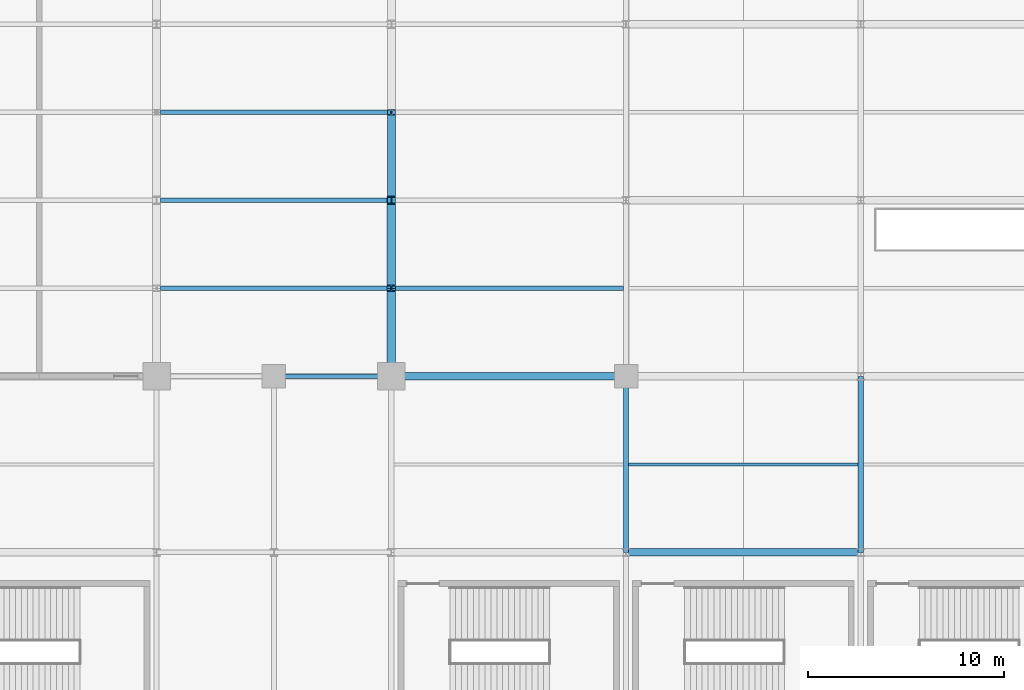
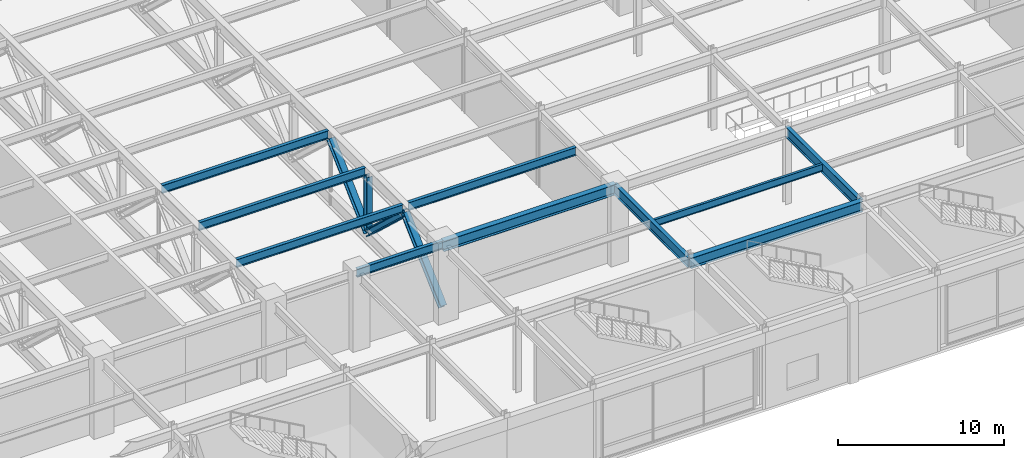
# One storey, part 37 of 108: 10 beams, 4 members.
"""IFC4 building model written with IfcOpenShell, lengths in metres."""

import ifcopenshell
import ifcopenshell.guid

model = None  # the IFC model being written
_history = None  # IfcOwnerHistory: only IFC2X3 demands one
_inside = {}  # id of a spatial element -> (the spatial element, [elements in it])
_under = {}  # id of a project, library or spatial element -> (it, [spatial elements below it])
_declared = {}  # id of a project -> (the project, [libraries it declares])
_typed = {}  # id of a type object -> (the type object, [elements of that type])
_made_of = {}  # id of a material, layer set ... -> (it, [elements and type objects made of it])


def new_model(schema):
    """Start an empty IFC model of exactly this schema.

    Asked for "IFC4X3", IfcOpenShell would pick the latest addendum, in which some entities
    have other attributes; the version numbers below select the first issue.
    IFC2X3 requires an IfcOwnerHistory on every rooted entity: one is made here for all.
    """
    global model, _history
    if schema == "IFC4X3":
        model = ifcopenshell.file(schema_version=(4, 3, 0, 0))
    else:
        model = ifcopenshell.file(schema=schema)
    _inside.clear()
    _under.clear()
    _declared.clear()
    _typed.clear()
    _made_of.clear()
    _history = None
    if model.schema == "IFC2X3":
        org = make("IfcOrganization", Name="unknown")
        user = make(
            "IfcPersonAndOrganization",
            ThePerson=make("IfcPerson", FamilyName="unknown"),
            TheOrganization=org,
        )
        app = make(
            "IfcApplication",
            ApplicationDeveloper=org,
            Version="unknown",
            ApplicationFullName="unknown",
            ApplicationIdentifier="unknown",
        )
        _history = make(
            "IfcOwnerHistory",
            OwningUser=user,
            OwningApplication=app,
            ChangeAction="ADDED",
            CreationDate=0,
        )
    return model


def make(cls, **values):
    """One entity of the class cls with the attributes given. An attribute that is None is left unset."""
    return model.create_entity(
        cls, **{name: value for name, value in values.items() if value is not None}
    )


def rooted(cls, **values):
    """An entity with a GlobalId (a new one), such as an element, a storey or a relation."""
    return make(cls, GlobalId=ifcopenshell.guid.new(), OwnerHistory=_history, **values)


def si_unit(unit_type, name, prefix=None):
    """IfcSIUnit, for example si_unit("LENGTHUNIT", "METRE", prefix="MILLI")."""
    return make("IfcSIUnit", UnitType=unit_type, Prefix=prefix, Name=name)


def assignment(units):
    """IfcUnitAssignment: the units of a project."""
    return None if units is None else make("IfcUnitAssignment", Units=units)


def point(xyz):
    """IfcCartesianPoint."""
    return None if xyz is None else make("IfcCartesianPoint", Coordinates=xyz)


def direction(xyz):
    """IfcDirection."""
    return None if xyz is None else make("IfcDirection", DirectionRatios=xyz)


def frame(location, z_axis=None, x_axis=None):
    """IfcAxis2Placement3D, a coordinate frame: its origin and axes. An axis left out is left unset."""
    return make(
        "IfcAxis2Placement3D",
        Location=point(location),
        Axis=direction(z_axis),
        RefDirection=direction(x_axis),
    )


def frame_2d(location, x_axis=None):
    """IfcAxis2Placement2D, a coordinate frame in the plane: its origin and x axis."""
    return make(
        "IfcAxis2Placement2D", Location=point(location), RefDirection=direction(x_axis)
    )


def origin():
    """The frame at (0, 0, 0) with its axes left unset."""
    return frame((0.0, 0.0, 0.0))


def origin_2d():
    """The frame at (0, 0) in the plane with its x axis left unset."""
    return frame_2d((0.0, 0.0))


def place(relative_to, where):
    """IfcLocalPlacement: puts the frame where relative to a parent placement (None: the world)."""
    return make(
        "IfcLocalPlacement", PlacementRelTo=relative_to, RelativePlacement=where
    )


def context(
    kind, dimensions, precision=None, world=None, true_north=None, identifier=None
):
    """IfcGeometricRepresentationContext, for example the 3D "Model" context."""
    return make(
        "IfcGeometricRepresentationContext",
        ContextIdentifier=identifier,
        ContextType=kind,
        CoordinateSpaceDimension=dimensions,
        Precision=precision,
        WorldCoordinateSystem=world,
        TrueNorth=true_north,
    )


def subcontext(parent, identifier, kind, view, scale=None):
    """IfcGeometricRepresentationSubContext, for example "Body" below "Model"."""
    return make(
        "IfcGeometricRepresentationSubContext",
        ContextIdentifier=identifier,
        ContextType=kind,
        ParentContext=parent,
        TargetScale=scale,
        TargetView=view,
    )


def project(units=None, contexts=None):
    """IfcProject with its units and contexts."""
    return rooted(
        "IfcProject",
        Name="project",
        RepresentationContexts=contexts,
        UnitsInContext=assignment(units),
    )


def spatial(cls, under=None, at=None, **own):
    """A site, building, storey or space (cls), placed at a placement, below another one or the project."""
    s = rooted(cls, ObjectPlacement=at, **own)
    if under is not None:
        _under.setdefault(under.id(), (under, []))[1].append(s)
    return s


def profile(cls, at=None, kind="AREA", **sizes):
    """A parametric profile (cls). Its sizes go by their IFC names, for example OverallWidth=200.0."""
    return make(cls, ProfileType=kind, Position=at, **sizes)


def i_section(**sizes):
    """IfcIShapeProfileDef."""
    return profile("IfcIShapeProfileDef", **sizes)


def extrude(swept, where, along, depth):
    """IfcExtrudedAreaSolid: the profile swept, set in the frame where, extruded along a direction by depth."""
    return make(
        "IfcExtrudedAreaSolid",
        SweptArea=swept,
        Position=where,
        ExtrudedDirection=direction(along),
        Depth=depth,
    )


def shape(context_of_items, identifier, shape_type, items):
    """IfcShapeRepresentation: the items that make up one representation, for example the "Body"."""
    return make(
        "IfcShapeRepresentation",
        ContextOfItems=context_of_items,
        RepresentationIdentifier=identifier,
        RepresentationType=shape_type,
        Items=items,
    )


def material(Name=None, Category=None):
    """IfcMaterial."""
    return make("IfcMaterial", Name=Name, Category=Category)


def material_profile(
    of_material, cross_section, Name=None, Category=None, Priority=None
):
    """IfcMaterialProfile: a cross section and its material."""
    return make(
        "IfcMaterialProfile",
        Name=Name,
        Material=of_material,
        Profile=cross_section,
        Priority=Priority,
        Category=Category,
    )


def profile_set(profiles, Name=None, composite=None):
    """IfcMaterialProfileSet."""
    return make(
        "IfcMaterialProfileSet",
        Name=Name,
        MaterialProfiles=profiles,
        CompositeProfile=composite,
    )


def made_of(thing, what):
    """Note that an element or type object is made of a material, layer set ...; save() writes the relation."""
    if what is not None:
        _made_of.setdefault(what.id(), (what, []))[1].append(thing)
    return thing


def type_object(cls, material=None, **own):
    """A type object (cls), such as IfcWallType, which elements share."""
    return made_of(rooted(cls, **own), material)


def element(
    cls,
    number,
    at=None,
    inside=None,
    cuts=None,
    type_object=None,
    material=None,
    context=None,
    identifier="Body",
    shape_type=None,
    held_by="IfcProductDefinitionShape",
    body=None,
    shapes=None,
    **own,
):
    """One element of the class cls, such as IfcWall. Its Tag is "e" and its number.

    at: its placement. inside: the storey or other place that contains it. cuts: it is an
    opening in that element (IfcRelVoidsElement). A single representation is given by context,
    identifier, shape_type and body (its items); several are given by shapes. held_by: the class
    of the entity that holds the representations. save() writes the other relations.
    """
    e = rooted(cls, Tag="e%d" % number, ObjectPlacement=at, **own)
    if body is not None:
        shapes = [shape(context, identifier, shape_type, body)]
    if shapes is not None:
        e.Representation = make(held_by, Representations=shapes)
    if inside is not None:
        _inside.setdefault(inside.id(), (inside, []))[1].append(e)
    if cuts is not None:
        rooted(
            "IfcRelVoidsElement", RelatingBuildingElement=cuts, RelatedOpeningElement=e
        )
    if type_object is not None:
        _typed.setdefault(type_object.id(), (type_object, []))[1].append(e)
    return made_of(e, material)


def aggregate(whole, parts):
    """IfcRelAggregates: a whole, such as a stair, and the parts it consists of."""
    return rooted("IfcRelAggregates", RelatingObject=whole, RelatedObjects=parts)


def save(model, path):
    """Write the relations noted so far, then the file.

    IfcRelAggregates (storeys below a building ...), IfcRelContainedInSpatialStructure (elements
    in a storey), IfcRelDefinesByType, IfcRelAssociatesMaterial and IfcRelDeclares: one each for
    every whole, place, type object, material and project.
    """
    for whole, parts in _under.values():
        aggregate(whole, parts)
    for where, things in _inside.values():
        rooted(
            "IfcRelContainedInSpatialStructure",
            RelatedElements=things,
            RelatingStructure=where,
        )
    for kind, things in _typed.values():
        rooted("IfcRelDefinesByType", RelatedObjects=things, RelatingType=kind)
    for what, things in _made_of.values():
        rooted("IfcRelAssociatesMaterial", RelatedObjects=things, RelatingMaterial=what)
    for by, libraries in _declared.values():
        rooted("IfcRelDeclares", RelatingContext=by, RelatedDefinitions=libraries)
    model.write(path)


model = new_model("IFC4")

# Units and contexts
model_context = context("Model", 3, precision=1e-05, world=origin(), true_north=direction((0.0, 1.0)))
body_context = subcontext(model_context, "Body", "Model", "MODEL_VIEW")
ifc_project = project(units=[si_unit("LENGTHUNIT", "METRE"), si_unit("AREAUNIT", "SQUARE_METRE"), si_unit("VOLUMEUNIT", "CUBIC_METRE"), si_unit("PLANEANGLEUNIT", "RADIAN"), si_unit("MASSUNIT", "GRAM", prefix="KILO")], contexts=[model_context])

# Site, building, storey
site_placement = place(None, origin())
site = spatial("IfcSite", under=ifc_project, at=site_placement, CompositionType="ELEMENT")
building_placement = place(site_placement, origin())
building = spatial("IfcBuilding", under=site, at=building_placement, Name="Kaldorvane Square Convention Centre", CompositionType="ELEMENT")
storey_placement = place(building_placement, frame((0.0, 0.0, 12.0)))
storey = spatial("IfcBuildingStorey", under=building, at=storey_placement, Name="L02", CompositionType="ELEMENT", Elevation=12.0)

# Beams
ifc_material = material(Name="Steel ASTM A992 Gr. 50", Category="steel")
ifc_material_profile_1 = material_profile(ifc_material, i_section(OverallWidth=0.2303009033203125, OverallDepth=0.61749267578125, WebThickness=0.0131072998046875, FlangeThickness=0.0222015380859375, FilletRadius=0.0126953125, at=origin_2d()), Name="W24X94")
ifc_profile_set_1 = profile_set([ifc_material_profile_1], Name="Steel ASTM A992 Gr. 50")
beam_type_1 = type_object("IfcBeamType", Name="BM-GR-W24X94", PredefinedType="BEAM", material=ifc_profile_set_1)
beam_1_placement = place(storey_placement, frame((96.0, 18.0, 5.3372039794921875), z_axis=(1.0, 0.0, 0.0), x_axis=(0.0, 1.0, 0.0)))
element("IfcBeam", 1, at=beam_1_placement, inside=storey, type_object=beam_type_1, Name="Primary Girder (L02)", PredefinedType="BEAM", context=body_context, shape_type="SweptSolid", body=[
    extrude(i_section(OverallWidth=0.2303009033203125, OverallDepth=0.61749267578125, WebThickness=0.0131072998046875, FlangeThickness=0.0222015380859375, FilletRadius=0.0126953125, at=origin_2d()), origin(), (0.0, 0.0, 1.0), 6.0),
])
ifc_material_profile_2 = material_profile(ifc_material, i_section(OverallWidth=0.2666015625, OverallDepth=0.762298583984375, WebThickness=0.014404296875, FlangeThickness=0.0216064453125, FilletRadius=0.0164947509765625, at=origin_2d()), Name="W30X116")
ifc_profile_set_2 = profile_set([ifc_material_profile_2], Name="Steel ASTM A992 Gr. 50")
beam_type_2 = type_object("IfcBeamType", Name="BM-GR-W30X116", PredefinedType="BEAM", material=ifc_profile_set_2)
for number, where, z_axis, x_axis, name in (
    (2, (114.0, 9.0, 5.264801025390625), (0.0, 1.0, 0.0), (-1.0, 0.0, 0.0), "Transverse Girder (L02)"),
    (3, (126.0, 9.0, 5.264801025390625), (0.0, 1.0, 0.0), (-1.0, 0.0, 0.0), "Transverse Girder (L02)"),
):
    element("IfcBeam", number, at=place(storey_placement, frame(where, z_axis=z_axis, x_axis=x_axis)), inside=storey, type_object=beam_type_2, Name=name, PredefinedType="BEAM", context=body_context, shape_type="SweptSolid", body=[
        extrude(i_section(OverallWidth=0.2666015625, OverallDepth=0.762298583984375, WebThickness=0.014404296875, FlangeThickness=0.0216064453125, FilletRadius=0.0164947509765625, at=origin_2d()), origin(), (0.0, 0.0, 1.0), 9.0),
    ])
ifc_material_profile_3 = material_profile(ifc_material, i_section(OverallWidth=0.380706787109375, OverallDepth=0.773193359375, WebThickness=0.0166015625, FlangeThickness=0.027099609375, FilletRadius=0.0164947509765625, at=origin_2d()), Name="W30X173")
ifc_profile_set_3 = profile_set([ifc_material_profile_3], Name="Steel ASTM A992 Gr. 50")
beam_type_3 = type_object("IfcBeamType", Name="BM-GR-W30X173", PredefinedType="BEAM", material=ifc_profile_set_3)
for number, where, z_axis, x_axis, name in (
    (4, (114.0, 9.0, 5.2593994140625), (1.0, 0.0, 0.0), (0.0, 1.0, 0.0), "Primary Girder (L02)"),
    (5, (102.0, 18.0, 5.2593994140625), (1.0, 0.0, 0.0), (0.0, 1.0, 0.0), "Primary Girder (L02)"),
):
    element("IfcBeam", number, at=place(storey_placement, frame(where, z_axis=z_axis, x_axis=x_axis)), inside=storey, type_object=beam_type_3, Name=name, PredefinedType="BEAM", context=body_context, shape_type="SweptSolid", body=[
        extrude(i_section(OverallWidth=0.380706787109375, OverallDepth=0.773193359375, WebThickness=0.0166015625, FlangeThickness=0.027099609375, FilletRadius=0.0164947509765625, at=origin_2d()), origin(), (0.0, 0.0, 1.0), 12.0),
    ])
ifc_material_profile_4 = material_profile(ifc_material, i_section(OverallWidth=0.1658935546875, OverallDepth=0.5290985107421875, WebThickness=0.00970458984375, FlangeThickness=0.0135955810546875, FilletRadius=0.0126953125, at=origin_2d()), Name="W21X50")
ifc_profile_set_4 = profile_set([ifc_material_profile_4], Name="Steel ASTM A992 Gr. 50")
beam_type_4 = type_object("IfcBeamType", Name="BM-JS-W21X50", PredefinedType="JOIST", material=ifc_profile_set_4)
beam_2_placement = place(storey_placement, frame((114.13330078125, 13.5, 5.3813934326171875), z_axis=(1.0, 0.0, 0.0), x_axis=(0.0, 1.0, 0.0)))
element("IfcBeam", 6, at=beam_2_placement, inside=storey, type_object=beam_type_4, Name="Secondary Floor Joist (L02)", PredefinedType="JOIST", context=body_context, shape_type="SweptSolid", body=[
    extrude(i_section(OverallWidth=0.1658935546875, OverallDepth=0.5290985107421875, WebThickness=0.00970458984375, FlangeThickness=0.0135955810546875, FilletRadius=0.0126953125, at=origin_2d()), origin(), (0.0, 0.0, 1.0), 11.7333984375),
])
ifc_material_profile_5 = material_profile(ifc_material, i_section(OverallWidth=0.2277069091796875, OverallDepth=0.6027069091796875, WebThickness=0.010498046875, FlangeThickness=0.014892578125, FilletRadius=0.0126953125, at=origin_2d()), Name="W24X68")
ifc_profile_set_5 = profile_set([ifc_material_profile_5], Name="Steel ASTM A992 Gr. 50")
beam_type_5 = type_object("IfcBeamType", Name="BM-JS-W24X68", PredefinedType="JOIST", material=ifc_profile_set_5)
for number, where, z_axis, x_axis, name in (
    (7, (90.20480346679688, 22.5, 5.3446044921875), (1.0, 0.0, 0.0), (0.0, 1.0, 0.0), "Hall Composite Floor Joist (L02)"),
    (8, (90.20480346679688, 27.0, 5.3446044921875), (1.0, 0.0, 0.0), (0.0, 1.0, 0.0), "Hall Composite Floor Joist (L02)"),
    (9, (90.20480346679688, 31.5, 5.3446044921875), (1.0, 0.0, 0.0), (0.0, 1.0, 0.0), "Hall Composite Floor Joist (L02)"),
):
    element("IfcBeam", number, at=place(storey_placement, frame(where, z_axis=z_axis, x_axis=x_axis)), inside=storey, type_object=beam_type_5, Name=name, PredefinedType="JOIST", context=body_context, shape_type="SweptSolid", body=[
        extrude(i_section(OverallWidth=0.2277069091796875, OverallDepth=0.6027069091796875, WebThickness=0.010498046875, FlangeThickness=0.014892578125, FilletRadius=0.0126953125, at=origin_2d()), origin(), (0.0, 0.0, 1.0), 11.59039306640625),
    ])
beam_3_placement = place(storey_placement, frame((102.20480346679688, 22.5, 5.3446044921875), z_axis=(1.0, 0.0, 0.0), x_axis=(0.0, 1.0, 0.0)))
element("IfcBeam", 10, at=beam_3_placement, inside=storey, type_object=beam_type_5, Name="Hall Composite Floor Joist (L02)", PredefinedType="JOIST", context=body_context, shape_type="SweptSolid", body=[
    extrude(i_section(OverallWidth=0.2277069091796875, OverallDepth=0.6027069091796875, WebThickness=0.010498046875, FlangeThickness=0.014892578125, FilletRadius=0.0126953125, at=origin_2d()), origin(), (0.0, 0.0, 1.0), 11.661895751953125),
])

# Members
ifc_material_profile_6 = material_profile(ifc_material, i_section(OverallWidth=0.412200927734375, OverallDepth=0.4347991943359375, WebThickness=0.035797119140625, FlangeThickness=0.057403564453125, FilletRadius=0.0305023193359375, at=origin_2d()), Name="W14X311")
ifc_profile_set_6 = profile_set([ifc_material_profile_6], Name="Steel ASTM A992 Gr. 50")
member_type_1 = type_object("IfcMemberType", Name="MB-BR-W14X311", PredefinedType="BRACE", material=ifc_profile_set_6)
member_1_placement = place(storey_placement, frame((102.0, 27.0, 0.7299957275390625), z_axis=(0.0, 0.731436442842, 0.681909620172), x_axis=(-1.0, 0.0, 0.0)))
element("IfcMember", 11, at=member_1_placement, inside=storey, type_object=member_type_1, Name="Transfer Truss TT-07 Web Diagonal 2A", PredefinedType="BRACE", context=body_context, shape_type="SweptSolid", body=[
    extrude(i_section(OverallWidth=0.412200927734375, OverallDepth=0.4347991943359375, WebThickness=0.035797119140625, FlangeThickness=0.057403564453125, FilletRadius=0.0305023193359375, at=origin_2d()), origin(), (0.0, 0.0, 1.0), 6.15228271484375),
])
ifc_material_profile_7 = material_profile(ifc_material, i_section(OverallWidth=0.4214019775390625, OverallDepth=0.4647979736328125, WebThickness=0.0449981689453125, FlangeThickness=0.072296142578125, FilletRadius=0.0305023193359375, at=origin_2d()), Name="W14X398")
ifc_profile_set_7 = profile_set([ifc_material_profile_7], Name="Steel ASTM A992 Gr. 50")
member_type_2 = type_object("IfcMemberType", Name="MB-BR-W14X398", PredefinedType="BRACE", material=ifc_profile_set_7)
for number, where, z_axis, x_axis, name in (
    (12, (102.0, 18.0, 0.7299957275390625), (0.0, 0.731436442842, 0.681909620172), (-1.0, 0.0, 0.0), "Transfer Truss TT-07 Web Diagonal 1A"),
    (13, (102.0, 22.5, 4.92529296875), (0.0, 0.731436442842, -0.681909620172), (-1.0, 0.0, 0.0), "Transfer Truss TT-07 Web Diagonal 1B"),
):
    element("IfcMember", number, at=place(storey_placement, frame(where, z_axis=z_axis, x_axis=x_axis)), inside=storey, type_object=member_type_2, Name=name, PredefinedType="BRACE", context=body_context, shape_type="SweptSolid", body=[
        extrude(i_section(OverallWidth=0.4214019775390625, OverallDepth=0.4647979736328125, WebThickness=0.0449981689453125, FlangeThickness=0.072296142578125, FilletRadius=0.0305023193359375, at=origin_2d()), origin(), (0.0, 0.0, 1.0), 6.15228271484375),
    ])
ifc_material_profile_8 = material_profile(ifc_material, i_section(OverallWidth=0.3990020751953125, OverallDepth=0.3932037353515625, WebThickness=0.0225982666015625, FlangeThickness=0.0366058349609375, FilletRadius=0.0305023193359375, at=origin_2d()), Name="W14X193")
ifc_profile_set_8 = profile_set([ifc_material_profile_8], Name="Steel ASTM A992 Gr. 50")
member_type_3 = type_object("IfcMemberType", Name="MB-PS-W14X193", PredefinedType="POST", material=ifc_profile_set_8)
member_2_placement = place(storey_placement, frame((102.0, 27.0, 1.0099945068359375), z_axis=(0.0, 0.0, 1.0), x_axis=(1.0, 0.0, 0.0)))
element("IfcMember", 14, at=member_2_placement, inside=storey, type_object=member_type_3, Name="Transfer Truss TT-07 Vertical Post 1", PredefinedType="POST", context=body_context, shape_type="SweptSolid", body=[
    extrude(i_section(OverallWidth=0.3990020751953125, OverallDepth=0.3932037353515625, WebThickness=0.0225982666015625, FlangeThickness=0.0366058349609375, FilletRadius=0.0305023193359375, at=origin_2d()), origin(), (0.0, 0.0, 1.0), 3.9152984619140625),
])

save(model, "model.ifc")
